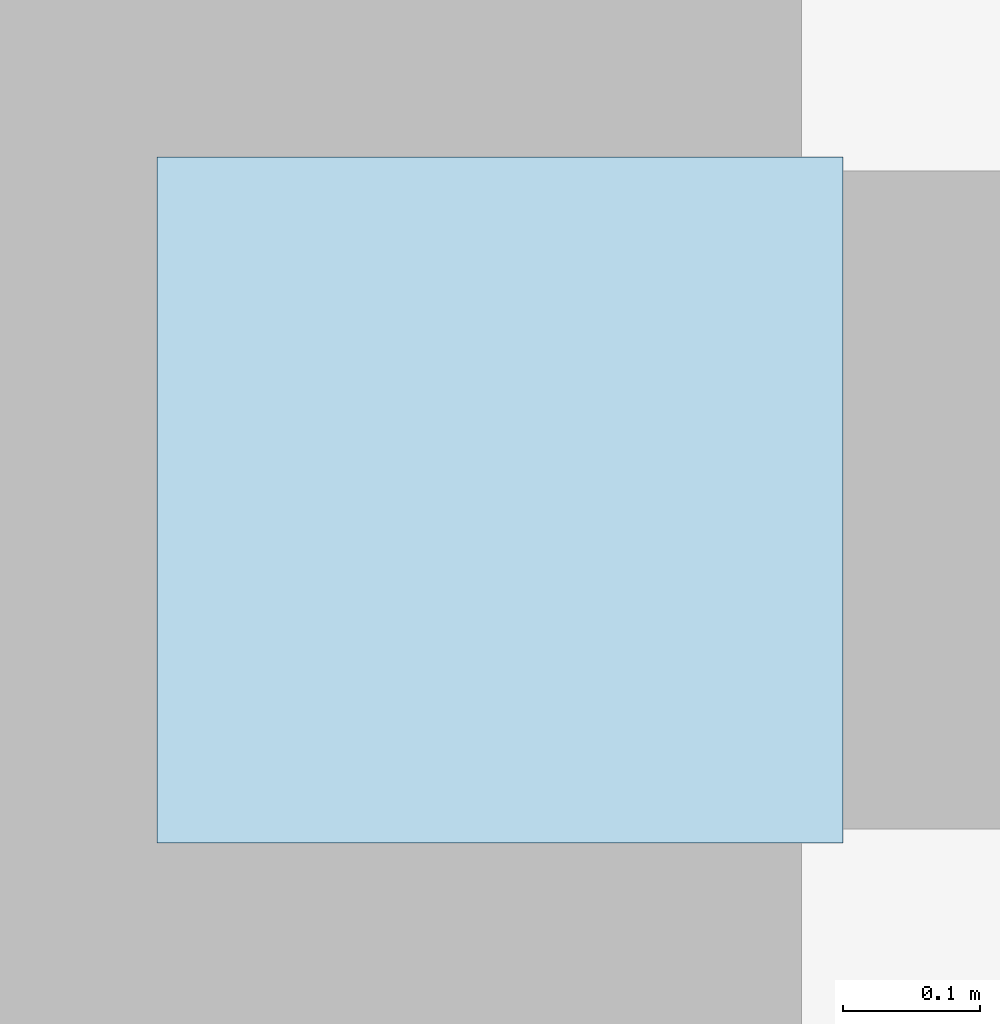
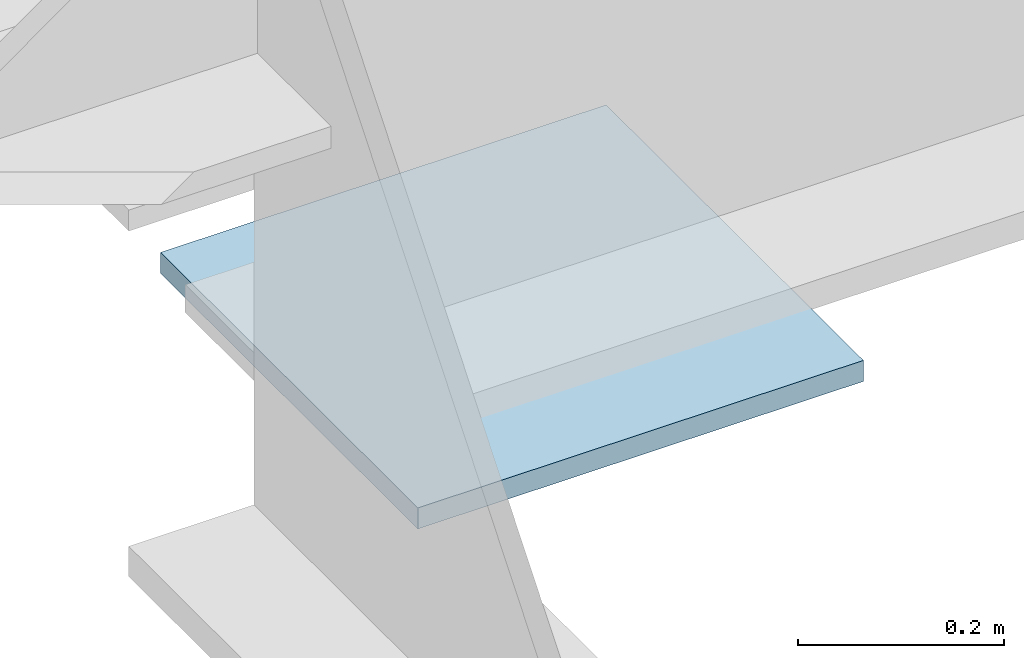
# One storey, part 107 of 141: 1 plate.
"""IFC4 building model written with IfcOpenShell, lengths in metres."""

from ifc_helpers import new_model, si_unit, direction, frame, origin, origin_2d, place, context, subcontext, project, spatial, rectangle, extrude, material, layer, layer_set, type_object, element, save


model = new_model("IFC4")

# Units and contexts
model_context = context("Model", 3, precision=1e-05, world=origin(), true_north=direction((0.0, 1.0)))
body_context = subcontext(model_context, "Body", "Model", "MODEL_VIEW")
ifc_project = project(units=[si_unit("LENGTHUNIT", "METRE"), si_unit("AREAUNIT", "SQUARE_METRE"), si_unit("VOLUMEUNIT", "CUBIC_METRE"), si_unit("PLANEANGLEUNIT", "RADIAN"), si_unit("MASSUNIT", "GRAM", prefix="KILO")], contexts=[model_context])

# Site, building, storey
site_placement = place(None, origin())
site = spatial("IfcSite", under=ifc_project, at=site_placement, CompositionType="ELEMENT")
building_placement = place(site_placement, origin())
building = spatial("IfcBuilding", under=site, at=building_placement, Name="Sundgate Opera House", CompositionType="ELEMENT")
storey_placement = place(building_placement, frame((0.0, 0.0, 11.39990234375)))
storey = spatial("IfcBuildingStorey", under=building, at=storey_placement, Name="L02", CompositionType="ELEMENT", Elevation=11.39990234375)

# Plate
ifc_material = material(Name="Steel S355J2", Category="steel")
ifc_layer = layer(ifc_material, 0.02490234375)
ifc_layer_set = layer_set([ifc_layer], Name="Steel S355J2")
plate_type = type_object("IfcPlateType", Name="PT-EMB-25", PredefinedType="USERDEFINED", material=ifc_layer_set)
plate_placement = place(storey_placement, frame((63.280029296875, 60.0, -1.1748046875), z_axis=(0.0, 0.0, 1.0), x_axis=(1.0, 0.0, 0.0)))
element("IfcPlate", 1, at=plate_placement, inside=storey, type_object=plate_type, Name="L02 Outrigger Core Wall Cast-In Embedment Plate PT0455", ObjectType="BASE PLATE", PredefinedType="USERDEFINED", context=body_context, shape_type="SweptSolid", body=[
    extrude(rectangle(XDim=0.5, YDim=0.5, at=origin_2d()), origin(), (0.0, 0.0, 1.0), 0.02490234375),
])

save(model, "model.ifc")
